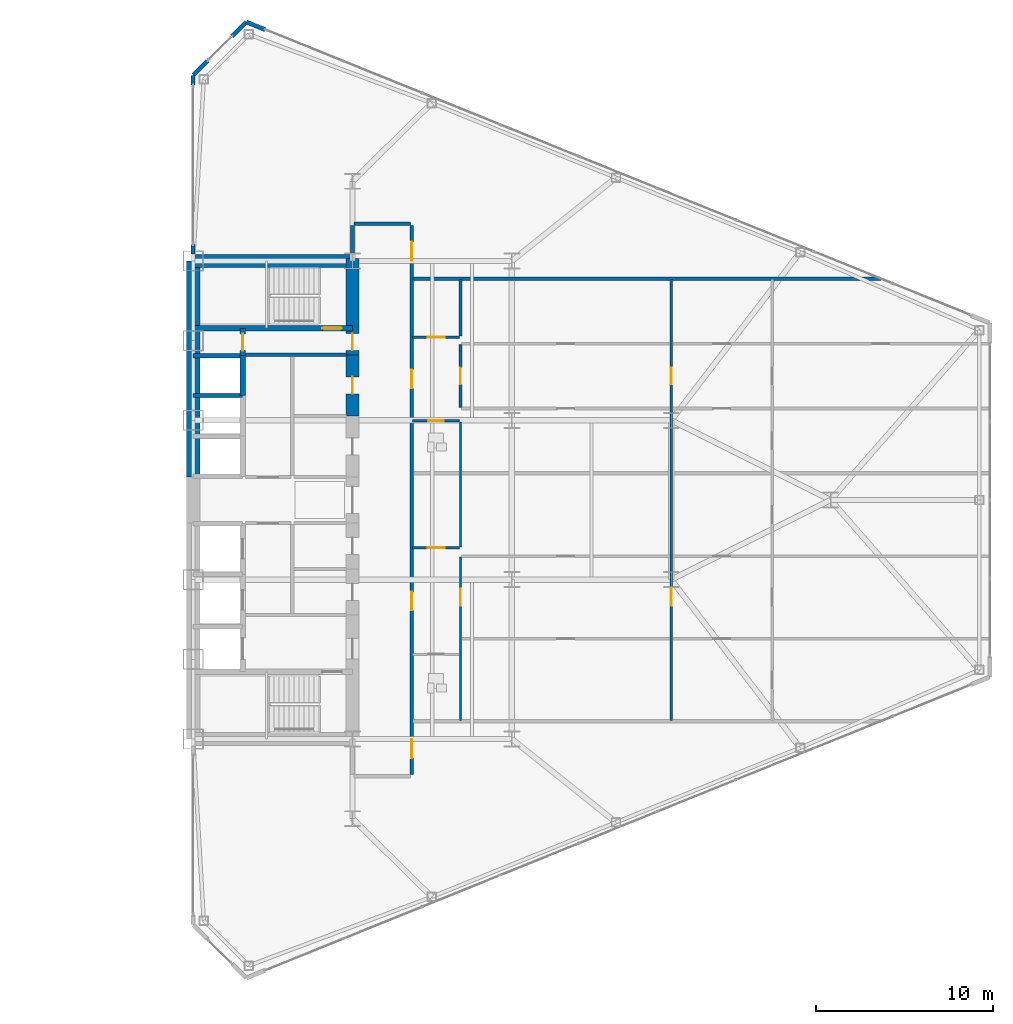
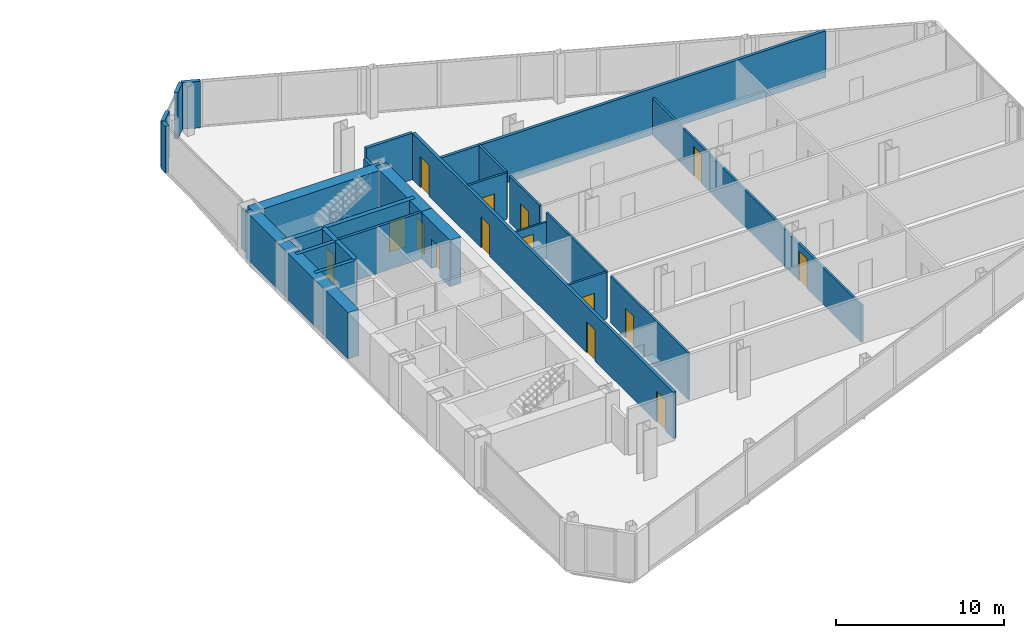
# One storey, part 21 of 25: 27 walls, 15 doors, 15 openings.
"""IFC4 building model written with IfcOpenShell, lengths in metres."""

from ifc_helpers import new_model, si_unit, direction, frame, frame_2d, origin, place, context, subcontext, project, spatial, rectangle, extrude, source, transform, mapped, material, layer, layer_set, type_object, type_shapes, element, fill, save


model = new_model("IFC4")

# Units and contexts
model_context = context("Model", 3, precision=1e-05, world=origin(), true_north=direction((0.0, 1.0)))
body_context = subcontext(model_context, "Body", "Model", "MODEL_VIEW")
ifc_project = project(units=[si_unit("LENGTHUNIT", "METRE"), si_unit("AREAUNIT", "SQUARE_METRE"), si_unit("VOLUMEUNIT", "CUBIC_METRE"), si_unit("PLANEANGLEUNIT", "RADIAN"), si_unit("MASSUNIT", "GRAM", prefix="KILO")], contexts=[model_context])

# Site, building, storey
site_placement = place(None, origin())
site = spatial("IfcSite", under=ifc_project, at=site_placement, CompositionType="ELEMENT")
building_placement = place(site_placement, origin())
building = spatial("IfcBuilding", under=site, at=building_placement, Name="Seokmaru Belvedere", CompositionType="ELEMENT")
storey_placement = place(building_placement, frame((0.0, 0.0, 47.699951171875)))
storey = spatial("IfcBuildingStorey", under=building, at=storey_placement, Name="L12", CompositionType="ELEMENT", Elevation=47.699951171875)

# Wall, opening, door
ifc_material_1 = material(Name="Fire-Rated Gypsum Shaftwall")
ifc_layer_1 = layer(ifc_material_1, 0.14990234375)
ifc_layer_set_1 = layer_set([ifc_layer_1], Name="Fire-Rated Gypsum Shaftwall")
wall_type_1 = type_object("IfcWallType", Name="Apartment Fire-Acoustic Room Partition 150", PredefinedType="PARTITIONING", material=ifc_layer_set_1)
wall_1_placement = place(storey_placement, frame((39.89990234375, -2.699951171875, 0.0), z_axis=(0.0, 0.0, 1.0), x_axis=(1.0, 0.0, 0.0)))
wall_1 = element("IfcWall", 1, at=wall_1_placement, inside=storey, type_object=wall_type_1, Name="L12 Interior Partition 016", PredefinedType="PARTITIONING", context=body_context, shape_type="SweptSolid", body=[
    extrude(rectangle(XDim=2.650146484375, YDim=0.14990234375, at=frame_2d((1.3251953125, 0.0))), origin(), (0.0, 0.0, 1.0), 3.380126953125),
])
opening_1_placement = place(wall_1_placement, frame((0.85009765625, 0.0, 0.0)))
opening_1 = element("IfcOpeningElement", 2, at=opening_1_placement, cuts=wall_1, Name="Opening D05", PredefinedType="OPENING", context=body_context, shape_type="SweptSolid", body=[
    extrude(rectangle(XDim=0.949951171875, YDim=2.14990234375, at=frame_2d((0.47509765625, 1.074951171875))), frame((0.0, 0.0849609375, 0.0), z_axis=(0.0, -1.0, 0.0), x_axis=(1.0, 0.0, 0.0)), (0.0, 0.0, 1.0), 0.169921875),
])
ifc_material_2 = material(Name="Engineered White Oak Timber", Category="wood")
door_type_1 = type_object("IfcDoorType", Name="Apartment Interior Fire-Rated Oak Door 950x2150", OperationType="NOTDEFINED", PredefinedType="DOOR", material=ifc_material_2)
shared_shape_1 = source(origin(), body_context, "Body", "SweptSolid", [
    extrude(rectangle(XDim=0.949951171875, YDim=2.14990234375, at=frame_2d((0.47509765625, 1.074951171875))), frame((0.0, 0.02490234375, 0.0), z_axis=(0.0, -1.0, 0.0), x_axis=(1.0, 0.0, 0.0)), (0.0, 0.0, 1.0), 0.050048828125),
])
type_shapes(door_type_1, [shared_shape_1])
door_1_placement = place(opening_1_placement, origin())
door_1 = element("IfcDoor", 3, at=door_1_placement, inside=storey, type_object=door_type_1, Name="L12 Interior Door 040", OperationType="SINGLE_SWING_RIGHT", OverallHeight=2.14990234375, OverallWidth=0.949951171875, PredefinedType="DOOR", context=body_context, shape_type="MappedRepresentation", body=[
    mapped(shared_shape_1, transform((0.0, 0.0, 0.0), scale=1.0)),
])
fill(opening_1, door_1)

wall_2_placement = place(storey_placement, frame((39.89990234375, 9.199951171875, 0.0), z_axis=(0.0, 0.0, 1.0), x_axis=(1.0, 0.0, 0.0)))
wall_2 = element("IfcWall", 4, at=wall_2_placement, inside=storey, type_object=wall_type_1, Name="L12 Interior Partition 025", PredefinedType="PARTITIONING", context=body_context, shape_type="SweptSolid", body=[
    extrude(rectangle(XDim=2.650146484375, YDim=0.14990234375, at=frame_2d((1.3251953125, 0.0))), origin(), (0.0, 0.0, 1.0), 3.380126953125),
])
opening_2_placement = place(wall_2_placement, frame((0.85009765625, 0.0, 0.0)))
opening_2 = element("IfcOpeningElement", 5, at=opening_2_placement, cuts=wall_2, Name="Opening D05", PredefinedType="OPENING", context=body_context, shape_type="SweptSolid", body=[
    extrude(rectangle(XDim=0.949951171875, YDim=2.14990234375, at=frame_2d((0.47509765625, 1.074951171875))), frame((0.0, 0.0849609375, 0.0), z_axis=(0.0, -1.0, 0.0), x_axis=(1.0, 0.0, 0.0)), (0.0, 0.0, 1.0), 0.169921875),
])
door_2_placement = place(opening_2_placement, origin())
door_2 = element("IfcDoor", 6, at=door_2_placement, inside=storey, type_object=door_type_1, Name="L12 Interior Door 052", OperationType="SINGLE_SWING_RIGHT", OverallHeight=2.14990234375, OverallWidth=0.949951171875, PredefinedType="DOOR", context=body_context, shape_type="MappedRepresentation", body=[
    mapped(shared_shape_1, transform((0.0, 0.0, 0.0), scale=1.0)),
])
fill(opening_2, door_2)

wall_3_placement = place(storey_placement, frame((42.60009765625, 5.217041015625, 0.0), z_axis=(0.0, 0.0, 1.0), x_axis=(0.0, 1.0, 0.0)))
wall_3 = element("IfcWall", 7, at=wall_3_placement, inside=storey, type_object=wall_type_1, Name="L12 Interior Partition 048", PredefinedType="PARTITIONING", context=body_context, shape_type="SweptSolid", body=[
    extrude(rectangle(XDim=3.56591796875, YDim=0.14990234375, at=frame_2d((1.782958984375, 0.0))), origin(), (0.0, 0.0, 1.0), 3.380126953125),
])
opening_3_placement = place(wall_3_placement, frame((1.30810546875, 0.0, 0.0)))
opening_3 = element("IfcOpeningElement", 8, at=opening_3_placement, cuts=wall_3, Name="Opening D05", PredefinedType="OPENING", context=body_context, shape_type="SweptSolid", body=[
    extrude(rectangle(XDim=0.949951171875, YDim=2.14990234375, at=frame_2d((0.47509765625, 1.074951171875))), frame((0.0, 0.0849609375, 0.0), z_axis=(0.0, -1.0, 0.0), x_axis=(1.0, 0.0, 0.0)), (0.0, 0.0, 1.0), 0.169921875),
])
door_3_placement = place(opening_3_placement, origin())
door_3 = element("IfcDoor", 9, at=door_3_placement, inside=storey, type_object=door_type_1, Name="L12 Interior Door 053", OperationType="SINGLE_SWING_LEFT", OverallHeight=2.14990234375, OverallWidth=0.949951171875, PredefinedType="DOOR", context=body_context, shape_type="MappedRepresentation", body=[
    mapped(shared_shape_1, transform((0.0, 0.0, 0.0), scale=1.0)),
])
fill(opening_3, door_3)

# Wall
wall_4_placement = place(storey_placement, frame((42.60009765625, 9.251953125, 0.0), z_axis=(0.0, 0.0, 1.0), x_axis=(0.0, 1.0, 0.0)))
element("IfcWall", 10, at=wall_4_placement, inside=storey, type_object=wall_type_1, Name="L12 Interior Partition 049", PredefinedType="PARTITIONING", context=body_context, shape_type="SweptSolid", body=[
    extrude(rectangle(XDim=3.197998046875, YDim=0.14990234375, at=frame_2d((1.59912109375, 0.0))), origin(), (0.0, 0.0, 1.0), 3.380126953125),
])

# Wall, openings, doors
wall_5_placement = place(storey_placement, frame((54.5, -12.449951171875, 0.0), z_axis=(0.0, 0.0, 1.0), x_axis=(0.0, 1.0, 0.0)))
wall_5 = element("IfcWall", 11, at=wall_5_placement, inside=storey, type_object=wall_type_1, Name="L12 Interior Partition 050", PredefinedType="PARTITIONING", context=body_context, shape_type="SweptSolid", body=[
    extrude(rectangle(XDim=24.89990234375, YDim=0.14990234375, at=frame_2d((12.449951171875, 0.0))), origin(), (0.0, 0.0, 1.0), 2.679931640625),
])
opening_4_placement = place(wall_5_placement, frame((6.47509765625, 0.0, 0.0)))
opening_4 = element("IfcOpeningElement", 12, at=opening_4_placement, cuts=wall_5, Name="Opening D05", PredefinedType="OPENING", context=body_context, shape_type="SweptSolid", body=[
    extrude(rectangle(XDim=0.949951171875, YDim=2.14990234375, at=frame_2d((0.47509765625, 1.074951171875))), frame((0.0, 0.0849609375, 0.0), z_axis=(0.0, -1.0, 0.0), x_axis=(1.0, 0.0, 0.0)), (0.0, 0.0, 1.0), 0.169921875),
])
opening_5_placement = place(wall_5_placement, frame((18.97509765625, 0.0, 0.0)))
opening_5 = element("IfcOpeningElement", 13, at=opening_5_placement, cuts=wall_5, Name="Opening D05", PredefinedType="OPENING", context=body_context, shape_type="SweptSolid", body=[
    extrude(rectangle(XDim=0.949951171875, YDim=2.14990234375, at=frame_2d((0.47509765625, 1.074951171875))), frame((0.0, 0.0849609375, 0.0), z_axis=(0.0, -1.0, 0.0), x_axis=(1.0, 0.0, 0.0)), (0.0, 0.0, 1.0), 0.169921875),
])
door_4_placement = place(opening_4_placement, origin())
door_4 = element("IfcDoor", 14, at=door_4_placement, inside=storey, type_object=door_type_1, Name="L12 Interior Door 042", OperationType="SINGLE_SWING_RIGHT", OverallHeight=2.14990234375, OverallWidth=0.949951171875, PredefinedType="DOOR", context=body_context, shape_type="MappedRepresentation", body=[
    mapped(shared_shape_1, transform((0.0, 0.0, 0.0), scale=1.0)),
])
fill(opening_4, door_4)
door_5_placement = place(opening_5_placement, origin())
door_5 = element("IfcDoor", 15, at=door_5_placement, inside=storey, type_object=door_type_1, Name="L12 Interior Door 054", OperationType="SINGLE_SWING_RIGHT", OverallHeight=2.14990234375, OverallWidth=0.949951171875, PredefinedType="DOOR", context=body_context, shape_type="MappedRepresentation", body=[
    mapped(shared_shape_1, transform((0.0, 0.0, 0.0), scale=1.0)),
])
fill(opening_5, door_5)

# Walls
ifc_layer_2 = layer(ifc_material_1, 0.179931640625)
ifc_layer_set_2 = layer_set([ifc_layer_2], Name="Fire-Rated Gypsum Shaftwall")
wall_type_2 = type_object("IfcWallType", Name="Core Service Fire Partition 180", PredefinedType="PARTITIONING", material=ifc_layer_set_2)
wall_6_placement = place(storey_placement, frame((30.449951171875, 8.199951171875, 0.0), z_axis=(0.0, 0.0, 1.0), x_axis=(1.0, 0.0, 0.0)))
element("IfcWall", 16, at=wall_6_placement, inside=storey, type_object=wall_type_2, Name="L12 East Smokeproof Vestibule Partition", PredefinedType="PARTITIONING", context=body_context, shape_type="SweptSolid", body=[
    extrude(rectangle(XDim=5.699951171875, YDim=0.179931640625, at=frame_2d((2.85009765625, 0.0))), origin(), (0.0, 0.0, 1.0), 3.380126953125),
])
ifc_material_3 = material(Name="Concrete C50 (50 MPa)", Category="concrete")
ifc_layer_3 = layer(ifc_material_3, 0.25)
ifc_layer_set_3 = layer_set([ifc_layer_3], Name="Concrete C50 (50 MPa)")
wall_type_3 = type_object("IfcWallType", Name="Hoistway Transverse Concrete Divider Wall 250", PredefinedType="SHEAR", material=ifc_layer_set_3)
for number, where, z_axis, x_axis, name in (
    (17, (27.5, 5.89990234375, 0.0), (0.0, 0.0, 1.0), (1.0, 0.0, 0.0), "L12 East Hoistway Divider Core Wall 6"),
    (18, (27.5, 8.14990234375, 0.0), (0.0, 0.0, 1.0), (1.0, 0.0, 0.0), "L12 East Hoistway Divider Core Wall 7"),
):
    element("IfcWall", number, at=place(storey_placement, frame(where, z_axis=z_axis, x_axis=x_axis)), inside=storey, type_object=wall_type_3, Name=name, PredefinedType="SHEAR", context=body_context, shape_type="SweptSolid", body=[
        extrude(rectangle(XDim=2.800048828125, YDim=0.25, at=frame_2d((1.39990234375, 0.0))), origin(), (0.0, 0.0, 1.0), 3.380126953125),
    ])
ifc_layer_4 = layer(ifc_material_1, 0.199951171875)
ifc_layer_set_4 = layer_set([ifc_layer_4], Name="Fire-Rated Gypsum Shaftwall")
wall_type_4 = type_object("IfcWallType", Name="Inter-Tenancy Fire Compartment Partition 200", PredefinedType="PARTITIONING", material=ifc_layer_set_4)
wall_7_placement = place(storey_placement, frame((39.929931640625, 12.5, 0.0), z_axis=(0.0, 0.0, 1.0), x_axis=(1.0, 0.0, 0.0)))
element("IfcWall", 19, at=wall_7_placement, inside=storey, type_object=wall_type_4, Name="L12 Interior Partition 028", PredefinedType="PARTITIONING", context=body_context, shape_type="SweptSolid", body=[
    extrude(rectangle(XDim=26.406982421875, YDim=0.199951171875, at=frame_2d((13.20361328125, 0.0))), origin(), (0.0, 0.0, 1.0), 3.380126953125),
])
wall_8_placement = place(storey_placement, frame((36.5849609375, 15.60009765625, 0.0), z_axis=(0.0, 0.0, 1.0), x_axis=(1.0, 0.0, 0.0)))
element("IfcWall", 20, at=wall_8_placement, inside=storey, type_object=wall_type_4, Name="L12 Interior Partition 030", PredefinedType="PARTITIONING", context=body_context, shape_type="SweptSolid", body=[
    extrude(rectangle(XDim=3.179931640625, YDim=0.199951171875, at=frame_2d((1.58984375, 0.0))), origin(), (0.0, 0.0, 1.0), 3.380126953125),
])
wall_9_placement = place(storey_placement, frame((36.5, 13.8798828125, 0.0), z_axis=(0.0, 0.0, 1.0), x_axis=(0.0, 1.0, 0.0)))
element("IfcWall", 21, at=wall_9_placement, inside=storey, type_object=wall_type_4, Name="L12 Interior Partition 044", PredefinedType="PARTITIONING", context=body_context, shape_type="SweptSolid", body=[
    extrude(rectangle(XDim=1.635009765625, YDim=0.199951171875, at=frame_2d((0.8173828125, 0.0))), origin(), (0.0, 0.0, 1.0), 2.679931640625),
])

# Wall, openings, doors
wall_10_placement = place(storey_placement, frame((39.85009765625, -15.514892578125, 0.0), z_axis=(0.0, 0.0, 1.0), x_axis=(0.0, 1.0, 0.0)))
wall_10 = element("IfcWall", 22, at=wall_10_placement, inside=storey, type_object=wall_type_4, Name="L12 Interior Partition 045", PredefinedType="PARTITIONING", context=body_context, shape_type="SweptSolid", body=[
    extrude(rectangle(XDim=31.02978515625, YDim=0.199951171875, at=frame_2d((15.514892578125, 0.0))), origin(), (0.0, 0.0, 1.0), 3.380126953125),
])
opening_6_placement = place(wall_10_placement, frame((0.93994140625, 0.0, 0.0)))
opening_6 = element("IfcOpeningElement", 23, at=opening_6_placement, cuts=wall_10, Name="Opening D03", PredefinedType="OPENING", context=body_context, shape_type="SweptSolid", body=[
    extrude(rectangle(XDim=1.050048828125, YDim=2.25, at=frame_2d((0.52490234375, 1.125))), frame((0.0, 0.10986328125, 0.0), z_axis=(0.0, -1.0, 0.0), x_axis=(1.0, 0.0, 0.0)), (0.0, 0.0, 1.0), 0.219970703125),
])
opening_7_placement = place(wall_10_placement, frame((9.280029296875, 0.0, 0.0)))
opening_7 = element("IfcOpeningElement", 24, at=opening_7_placement, cuts=wall_10, Name="Opening D03", PredefinedType="OPENING", context=body_context, shape_type="SweptSolid", body=[
    extrude(rectangle(XDim=1.050048828125, YDim=2.25, at=frame_2d((0.52490234375, 1.125))), frame((0.0, 0.10986328125, 0.0), z_axis=(0.0, -1.0, 0.0), x_axis=(1.0, 0.0, 0.0)), (0.0, 0.0, 1.0), 0.219970703125),
])
opening_8_placement = place(wall_10_placement, frame((21.824951171875, 0.0, 0.0)))
opening_8 = element("IfcOpeningElement", 25, at=opening_8_placement, cuts=wall_10, Name="Opening D03", PredefinedType="OPENING", context=body_context, shape_type="SweptSolid", body=[
    extrude(rectangle(XDim=1.050048828125, YDim=2.25, at=frame_2d((0.52490234375, 1.125))), frame((0.0, 0.10986328125, 0.0), z_axis=(0.0, -1.0, 0.0), x_axis=(1.0, 0.0, 0.0)), (0.0, 0.0, 1.0), 0.219970703125),
])
opening_9_placement = place(wall_10_placement, frame((29.0400390625, 0.0, 0.0)))
opening_9 = element("IfcOpeningElement", 26, at=opening_9_placement, cuts=wall_10, Name="Opening D03", PredefinedType="OPENING", context=body_context, shape_type="SweptSolid", body=[
    extrude(rectangle(XDim=1.050048828125, YDim=2.25, at=frame_2d((0.52490234375, 1.125))), frame((0.0, 0.10986328125, 0.0), z_axis=(0.0, -1.0, 0.0), x_axis=(1.0, 0.0, 0.0)), (0.0, 0.0, 1.0), 0.219970703125),
])
ifc_material_4 = material(Name="Fire-Rated Steel Leaf", Category="steel")
door_type_2 = type_object("IfcDoorType", Name="Apartment Entrance Fire Door 1050x2250", OperationType="NOTDEFINED", PredefinedType="DOOR", material=ifc_material_4)
shared_shape_2 = source(origin(), body_context, "Body", "SweptSolid", [
    extrude(rectangle(XDim=1.050048828125, YDim=2.25, at=frame_2d((0.52490234375, 1.125))), frame((0.0, 0.02490234375, 0.0), z_axis=(0.0, -1.0, 0.0), x_axis=(1.0, 0.0, 0.0)), (0.0, 0.0, 1.0), 0.050048828125),
])
type_shapes(door_type_2, [shared_shape_2])
door_6_placement = place(opening_6_placement, origin())
door_6 = element("IfcDoor", 27, at=door_6_placement, inside=storey, type_object=door_type_2, Name="L12 Interior Door 037", OperationType="SINGLE_SWING_LEFT", OverallHeight=2.25, OverallWidth=1.050048828125, PredefinedType="DOOR", context=body_context, shape_type="MappedRepresentation", body=[
    mapped(shared_shape_2, transform((0.0, 0.0, 0.0), scale=1.0)),
])
fill(opening_6, door_6)
door_7_placement = place(opening_7_placement, origin())
door_7 = element("IfcDoor", 28, at=door_7_placement, inside=storey, type_object=door_type_2, Name="L12 Interior Door 038", OperationType="SINGLE_SWING_RIGHT", OverallHeight=2.25, OverallWidth=1.050048828125, PredefinedType="DOOR", context=body_context, shape_type="MappedRepresentation", body=[
    mapped(shared_shape_2, transform((0.0, 0.0, 0.0), scale=1.0)),
])
fill(opening_7, door_7)
door_8_placement = place(opening_8_placement, origin())
door_8 = element("IfcDoor", 29, at=door_8_placement, inside=storey, type_object=door_type_2, Name="L12 Interior Door 050", OperationType="SINGLE_SWING_LEFT", OverallHeight=2.25, OverallWidth=1.050048828125, PredefinedType="DOOR", context=body_context, shape_type="MappedRepresentation", body=[
    mapped(shared_shape_2, transform((0.0, 0.0, 0.0), scale=1.0)),
])
fill(opening_8, door_8)
door_9_placement = place(opening_9_placement, origin())
door_9 = element("IfcDoor", 30, at=door_9_placement, inside=storey, type_object=door_type_2, Name="L12 Interior Door 062", OperationType="SINGLE_SWING_RIGHT", OverallHeight=2.25, OverallWidth=1.050048828125, PredefinedType="DOOR", context=body_context, shape_type="MappedRepresentation", body=[
    mapped(shared_shape_2, transform((0.0, 0.0, 0.0), scale=1.0)),
])
fill(opening_9, door_9)

# Wall, opening, door
ifc_layer_5 = layer(ifc_material_3, 0.300048828125)
ifc_layer_set_5 = layer_set([ifc_layer_5], Name="Concrete C50 (50 MPa)")
wall_type_5 = type_object("IfcWallType", Name="Internal Core Stair and Hoistway Wall 300", PredefinedType="SHEAR", material=ifc_layer_set_5)
wall_11_placement = place(storey_placement, frame((27.5, 9.699951171875, 0.0), z_axis=(0.0, 0.0, 1.0), x_axis=(1.0, 0.0, 0.0)))
wall_11 = element("IfcWall", 31, at=wall_11_placement, inside=storey, type_object=wall_type_5, Name="L12 East Stair ST-2 Enclosure Wall", PredefinedType="SHEAR", context=body_context, shape_type="SweptSolid", body=[
    extrude(rectangle(XDim=9.0, YDim=0.300048828125, at=frame_2d((4.5, 0.0))), origin(), (0.0, 0.0, 1.0), 3.380126953125),
])
opening_10_placement = place(wall_11_placement, frame((7.300048828125, 0.0, 0.0)))
opening_10 = element("IfcOpeningElement", 32, at=opening_10_placement, cuts=wall_11, Name="Opening D01", PredefinedType="OPENING", context=body_context, shape_type="SweptSolid", body=[
    extrude(rectangle(XDim=1.10009765625, YDim=2.199951171875, at=frame_2d((0.550048828125, 1.10009765625))), frame((0.0, 0.16015625, 0.0), z_axis=(0.0, -1.0, 0.0), x_axis=(1.0, 0.0, 0.0)), (0.0, 0.0, 1.0), 0.320068359375),
])
door_type_3 = type_object("IfcDoorType", Name="Special Escape Stair Smokeproof Fire Door 1100x2200", OperationType="NOTDEFINED", PredefinedType="DOOR", material=ifc_material_4)
shared_shape_3 = source(origin(), body_context, "Body", "SweptSolid", [
    extrude(rectangle(XDim=1.10009765625, YDim=2.199951171875, at=frame_2d((0.550048828125, 1.10009765625))), frame((0.0, 0.02490234375, 0.0), z_axis=(0.0, -1.0, 0.0), x_axis=(1.0, 0.0, 0.0)), (0.0, 0.0, 1.0), 0.050048828125),
])
type_shapes(door_type_3, [shared_shape_3])
door_10_placement = place(opening_10_placement, origin())
door_10 = element("IfcDoor", 33, at=door_10_placement, inside=storey, type_object=door_type_3, Name="L12 East Special Escape Stair ST-2 Door", OperationType="SINGLE_SWING_LEFT", OverallHeight=2.199951171875, OverallWidth=1.10009765625, PredefinedType="DOOR", context=body_context, shape_type="MappedRepresentation", body=[
    mapped(shared_shape_3, transform((0.0, 0.0, 0.0), scale=1.0)),
])
fill(opening_10, door_10)

# Wall
wall_12_placement = place(storey_placement, frame((30.300048828125, 5.89990234375, 0.0), z_axis=(0.0, 0.0, 1.0), x_axis=(0.0, 1.0, 0.0)))
element("IfcWall", 34, at=wall_12_placement, inside=storey, type_object=wall_type_5, Name="L12 East North Hoistway Wall OBS", PredefinedType="SHEAR", context=body_context, shape_type="SweptSolid", body=[
    extrude(rectangle(XDim=2.25, YDim=0.300048828125, at=frame_2d((1.125, 0.0))), origin(), (0.0, 0.0, 1.0), 3.380126953125),
])

# Wall, opening, door
wall_13_placement = place(storey_placement, frame((30.300048828125, 8.14990234375, 0.0), z_axis=(0.0, 0.0, 1.0), x_axis=(0.0, 1.0, 0.0)))
wall_13 = element("IfcWall", 35, at=wall_13_placement, inside=storey, type_object=wall_type_5, Name="L12 East Electrical Riser Front Wall", PredefinedType="SHEAR", context=body_context, shape_type="SweptSolid", body=[
    extrude(rectangle(XDim=1.530029296875, YDim=0.300048828125, at=frame_2d((0.76513671875, 0.0))), origin(), (0.0, 0.0, 1.0), 3.380126953125),
])
opening_11_placement = place(wall_13_placement, frame((0.284912109375, 0.0, 0.0)))
opening_11 = element("IfcOpeningElement", 36, at=opening_11_placement, cuts=wall_13, Name="Opening D04", PredefinedType="OPENING", context=body_context, shape_type="SweptSolid", body=[
    extrude(rectangle(XDim=0.949951171875, YDim=2.14990234375, at=frame_2d((0.47509765625, 1.074951171875))), frame((0.0, 0.16015625, 0.0), z_axis=(0.0, -1.0, 0.0), x_axis=(1.0, 0.0, 0.0)), (0.0, 0.0, 1.0), 0.320068359375),
])
door_type_4 = type_object("IfcDoorType", Name="Core Service Room Fire Door 950x2150", OperationType="NOTDEFINED", PredefinedType="DOOR", material=ifc_material_4)
shared_shape_4 = source(origin(), body_context, "Body", "SweptSolid", [
    extrude(rectangle(XDim=0.949951171875, YDim=2.14990234375, at=frame_2d((0.47509765625, 1.074951171875))), frame((0.0, 0.02490234375, 0.0), z_axis=(0.0, -1.0, 0.0), x_axis=(1.0, 0.0, 0.0)), (0.0, 0.0, 1.0), 0.050048828125),
])
type_shapes(door_type_4, [shared_shape_4])
door_11_placement = place(opening_11_placement, origin())
door_11 = element("IfcDoor", 37, at=door_11_placement, inside=storey, type_object=door_type_4, Name="L12 East Electrical Riser Access Door", OperationType="SINGLE_SWING_RIGHT", OverallHeight=2.14990234375, OverallWidth=0.949951171875, PredefinedType="DOOR", context=body_context, shape_type="MappedRepresentation", body=[
    mapped(shared_shape_4, transform((0.0, 0.0, 0.0), scale=1.0)),
])
fill(opening_11, door_11)

# Walls
ifc_material_5 = material(Name="Concrete C60 (60 MPa)", Category="concrete")
ifc_layer_6 = layer(ifc_material_5, 0.75)
ifc_layer_set_6 = layer_set([ifc_layer_6], Name="Concrete C60 (60 MPa)")
wall_type_6 = type_object("IfcWallType", Name="Lower Tower Reinforced Concrete Core Wall 750", PredefinedType="SHEAR", material=ifc_layer_set_6)
wall_14_placement = place(storey_placement, frame((27.5, 1.300048828125, 0.0), z_axis=(0.0, 0.0, 1.0), x_axis=(0.0, 1.0, 0.0)))
element("IfcWall", 38, at=wall_14_placement, inside=storey, type_object=wall_type_6, Name="L12 East Portal Spine Core Wall North", PredefinedType="SHEAR", context=body_context, shape_type="SweptSolid", body=[
    extrude(rectangle(XDim=12.199951171875, YDim=0.75, at=frame_2d((6.10009765625, 0.0))), origin(), (0.0, 0.0, 1.0), 3.380126953125),
])
wall_15_placement = place(storey_placement, frame((27.5, 13.5, 0.0), z_axis=(0.0, 0.0, 1.0), x_axis=(1.0, 0.0, 0.0)))
element("IfcWall", 39, at=wall_15_placement, inside=storey, type_object=wall_type_6, Name="L12 East North Core Wall", PredefinedType="SHEAR", context=body_context, shape_type="SweptSolid", body=[
    extrude(rectangle(XDim=9.0, YDim=0.75, at=frame_2d((4.5, 0.0))), origin(), (0.0, 0.0, 1.0), 3.380126953125),
])

# Wall, opening, door
wall_16_placement = place(storey_placement, frame((36.5, 8.199951171875, 0.0), z_axis=(0.0, 0.0, 1.0), x_axis=(0.0, 1.0, 0.0)))
wall_16 = element("IfcWall", 40, at=wall_16_placement, inside=storey, type_object=wall_type_6, Name="L12 East West Core Wall VST", PredefinedType="SHEAR", context=body_context, shape_type="SweptSolid", body=[
    extrude(rectangle(XDim=5.449951171875, YDim=0.75, at=frame_2d((2.72509765625, 0.0))), origin(), (0.0, 0.0, 1.0), 3.380126953125),
])
opening_12_placement = place(wall_16_placement, frame((0.2451171875, 0.0, 0.0)))
opening_12 = element("IfcOpeningElement", 41, at=opening_12_placement, cuts=wall_16, Name="Opening D04", PredefinedType="OPENING", context=body_context, shape_type="SweptSolid", body=[
    extrude(rectangle(XDim=0.949951171875, YDim=2.14990234375, at=frame_2d((0.47509765625, 1.074951171875))), frame((0.0, 0.385009765625, 0.0), z_axis=(0.0, -1.0, 0.0), x_axis=(1.0, 0.0, 0.0)), (0.0, 0.0, 1.0), 0.77001953125),
])
door_12_placement = place(opening_12_placement, origin())
door_12 = element("IfcDoor", 42, at=door_12_placement, inside=storey, type_object=door_type_4, Name="L12 East Smokeproof Vestibule Door", OperationType="SINGLE_SWING_LEFT", OverallHeight=2.14990234375, OverallWidth=0.949951171875, PredefinedType="DOOR", context=body_context, shape_type="MappedRepresentation", body=[
    mapped(shared_shape_4, transform((0.0, 0.0, 0.0), scale=1.0)),
])
fill(opening_12, door_12)

wall_17_placement = place(storey_placement, frame((36.5, 4.75, 0.0), z_axis=(0.0, 0.0, 1.0), x_axis=(0.0, 1.0, 0.0)))
wall_17 = element("IfcWall", 43, at=wall_17_placement, inside=storey, type_object=wall_type_6, Name="L12 East West Core Wall CS4", PredefinedType="SHEAR", context=body_context, shape_type="SweptSolid", body=[
    extrude(rectangle(XDim=3.449951171875, YDim=0.75, at=frame_2d((1.72509765625, 0.0))), origin(), (0.0, 0.0, 1.0), 3.380126953125),
])
opening_13_placement = place(wall_17_placement, frame((1.25, 0.0, 0.0)))
opening_13 = element("IfcOpeningElement", 44, at=opening_13_placement, cuts=wall_17, Name="Opening D04", PredefinedType="OPENING", context=body_context, shape_type="SweptSolid", body=[
    extrude(rectangle(XDim=0.949951171875, YDim=2.14990234375, at=frame_2d((0.47509765625, 1.074951171875))), frame((0.0, 0.385009765625, 0.0), z_axis=(0.0, -1.0, 0.0), x_axis=(1.0, 0.0, 0.0)), (0.0, 0.0, 1.0), 0.77001953125),
])
door_13_placement = place(opening_13_placement, origin())
door_13 = element("IfcDoor", 45, at=door_13_placement, inside=storey, type_object=door_type_4, Name="L12 East Core Service Room Door 4", OperationType="SINGLE_SWING_LEFT", OverallHeight=2.14990234375, OverallWidth=0.949951171875, PredefinedType="DOOR", context=body_context, shape_type="MappedRepresentation", body=[
    mapped(shared_shape_4, transform((0.0, 0.0, 0.0), scale=1.0)),
])
fill(opening_13, door_13)

ifc_layer_7 = layer(ifc_material_1, 0.1298828125)
ifc_layer_set_7 = layer_set([ifc_layer_7], Name="Fire-Rated Gypsum Shaftwall")
wall_type_7 = type_object("IfcWallType", Name="Moisture-Resistant Fire-Rated Bathroom Partition 130", PredefinedType="PARTITIONING", material=ifc_layer_set_7)
wall_18_placement = place(storey_placement, frame((39.89990234375, 4.469970703125, 0.0), z_axis=(0.0, 0.0, 1.0), x_axis=(1.0, 0.0, 0.0)))
wall_18 = element("IfcWall", 46, at=wall_18_placement, inside=storey, type_object=wall_type_7, Name="L12 Interior Partition 020", PredefinedType="PARTITIONING", context=body_context, shape_type="SweptSolid", body=[
    extrude(rectangle(XDim=2.650146484375, YDim=0.1298828125, at=frame_2d((1.3251953125, 0.0))), origin(), (0.0, 0.0, 1.0), 2.679931640625),
])
opening_14_placement = place(wall_18_placement, frame((0.885009765625, 0.0, 0.0)))
opening_14 = element("IfcOpeningElement", 47, at=opening_14_placement, cuts=wall_18, Name="Opening D06", PredefinedType="OPENING", context=body_context, shape_type="SweptSolid", body=[
    extrude(rectangle(XDim=0.8798828125, YDim=2.10009765625, at=frame_2d((0.43994140625, 1.050048828125))), frame((0.0, 0.074951171875, 0.0), z_axis=(0.0, -1.0, 0.0), x_axis=(1.0, 0.0, 0.0)), (0.0, 0.0, 1.0), 0.14990234375),
])
door_type_5 = type_object("IfcDoorType", Name="Bathroom and Restroom Fire-Rated Door 880x2100", OperationType="NOTDEFINED", PredefinedType="DOOR", material=ifc_material_2)
shared_shape_5 = source(origin(), body_context, "Body", "SweptSolid", [
    extrude(rectangle(XDim=0.8798828125, YDim=2.10009765625, at=frame_2d((0.43994140625, 1.050048828125))), frame((0.0, 0.02490234375, 0.0), z_axis=(0.0, -1.0, 0.0), x_axis=(1.0, 0.0, 0.0)), (0.0, 0.0, 1.0), 0.050048828125),
])
type_shapes(door_type_5, [shared_shape_5])
door_14_placement = place(opening_14_placement, origin())
door_14 = element("IfcDoor", 48, at=door_14_placement, inside=storey, type_object=door_type_5, Name="L12 Interior Door 051", OperationType="SINGLE_SWING_RIGHT", OverallHeight=2.10009765625, OverallWidth=0.8798828125, PredefinedType="DOOR", context=body_context, shape_type="MappedRepresentation", body=[
    mapped(shared_shape_5, transform((0.0, 0.0, 0.0), scale=1.0)),
])
fill(opening_14, door_14)

wall_19_placement = place(storey_placement, frame((42.60009765625, -12.449951171875, 0.0), z_axis=(0.0, 0.0, 1.0), x_axis=(0.0, 1.0, 0.0)))
wall_19 = element("IfcWall", 49, at=wall_19_placement, inside=storey, type_object=wall_type_7, Name="L12 Interior Partition 046", PredefinedType="PARTITIONING", context=body_context, shape_type="SweptSolid", body=[
    extrude(rectangle(XDim=9.23291015625, YDim=0.1298828125, at=frame_2d((4.616455078125, 0.0))), origin(), (0.0, 0.0, 1.0), 3.380126953125),
])
opening_15_placement = place(wall_19_placement, frame((6.47509765625, 0.0, 0.0)))
opening_15 = element("IfcOpeningElement", 50, at=opening_15_placement, cuts=wall_19, Name="Opening D05", PredefinedType="OPENING", context=body_context, shape_type="SweptSolid", body=[
    extrude(rectangle(XDim=0.949951171875, YDim=2.14990234375, at=frame_2d((0.47509765625, 1.074951171875))), frame((0.0, 0.074951171875, 0.0), z_axis=(0.0, -1.0, 0.0), x_axis=(1.0, 0.0, 0.0)), (0.0, 0.0, 1.0), 0.14990234375),
])
door_15_placement = place(opening_15_placement, origin())
door_15 = element("IfcDoor", 51, at=door_15_placement, inside=storey, type_object=door_type_1, Name="L12 Interior Door 041", OperationType="SINGLE_SWING_LEFT", OverallHeight=2.14990234375, OverallWidth=0.949951171875, PredefinedType="DOOR", context=body_context, shape_type="MappedRepresentation", body=[
    mapped(shared_shape_1, transform((0.0, 0.0, 0.0), scale=1.0)),
])
fill(opening_15, door_15)

# Walls
wall_20_placement = place(storey_placement, frame((42.60009765625, -2.64794921875, 0.0), z_axis=(0.0, 0.0, 1.0), x_axis=(0.0, 1.0, 0.0)))
element("IfcWall", 52, at=wall_20_placement, inside=storey, type_object=wall_type_7, Name="L12 Interior Partition 047", PredefinedType="PARTITIONING", context=body_context, shape_type="SweptSolid", body=[
    extrude(rectangle(XDim=7.06591796875, YDim=0.1298828125, at=frame_2d((3.532958984375, 0.0))), origin(), (0.0, 0.0, 1.0), 3.380126953125),
])
ifc_material_6 = material(Name="Anodised Bronze Aluminium", Category="aluminium")
ifc_layer_8 = layer(ifc_material_6, 0.239990234375)
ifc_layer_set_8 = layer_set([ifc_layer_8], Name="Anodised Bronze Aluminium")
wall_type_8 = type_object("IfcWallType", Name="Tower Corner Spandrel Closure Wall 240", PredefinedType="SOLIDWALL", material=ifc_layer_set_8)
wall_21_placement = place(storey_placement, frame((31.56591796875, 26.568603515625, 0.0), z_axis=(0.0, 0.0, 1.0), x_axis=(-0.927007103665, 0.375043770452, 0.0)))
element("IfcWall", 53, at=wall_21_placement, inside=storey, type_object=wall_type_8, Name="L12 E Corner Closure Pier 3B", PredefinedType="SOLIDWALL", context=body_context, shape_type="SweptSolid", body=[
    extrude(rectangle(XDim=1.139892578125, YDim=0.239990234375, at=frame_2d((0.56982421875, 0.0))), origin(), (0.0, 0.0, 1.0), 3.380126953125),
])
for number, where, z_axis, x_axis, name in (
    (54, (30.492919921875, 26.992919921875, 0.0), (0.0, 0.0, 1.0), (-0.707106781187, -0.707106781187, 0.0), "L12 E Corner Closure Pier 4A"),
    (55, (28.313232421875, 24.813232421875, 0.0), (0.0, 0.0, 1.0), (-0.707106781187, -0.707106781187, 0.0), "L12 E Corner Closure Pier 4B"),
):
    element("IfcWall", number, at=place(storey_placement, frame(where, z_axis=z_axis, x_axis=x_axis)), inside=storey, type_object=wall_type_8, Name=name, PredefinedType="SOLIDWALL", context=body_context, shape_type="SweptSolid", body=[
        extrude(rectangle(XDim=1.14013671875, YDim=0.239990234375, at=frame_2d((0.570068359375, 0.0))), origin(), (0.0, 0.0, 1.0), 3.380126953125),
    ])
wall_22_placement = place(storey_placement, frame((27.5, 13.8798828125, 0.0), z_axis=(0.0, 0.0, 1.0), x_axis=(0.0, 1.0, 0.0)))
element("IfcWall", 56, at=wall_22_placement, inside=storey, type_object=wall_type_8, Name="L12 E Spine Closure Pier 2A", PredefinedType="SOLIDWALL", context=body_context, shape_type="SweptSolid", body=[
    extrude(rectangle(XDim=0.550048828125, YDim=0.239990234375, at=frame_2d((0.27490234375, 0.0))), origin(), (0.0, 0.0, 1.0), 2.880126953125),
])
wall_23_placement = place(storey_placement, frame((27.5, 23.429931640625, 0.0), z_axis=(0.0, 0.0, 1.0), x_axis=(0.0, 1.0, 0.0)))
element("IfcWall", 57, at=wall_23_placement, inside=storey, type_object=wall_type_8, Name="L12 E Spine Closure Pier 2B", PredefinedType="SOLIDWALL", context=body_context, shape_type="SweptSolid", body=[
    extrude(rectangle(XDim=0.550048828125, YDim=0.239990234375, at=frame_2d((0.27490234375, 0.0))), origin(), (0.0, 0.0, 1.0), 3.380126953125),
])

save(model, "model.ifc")
